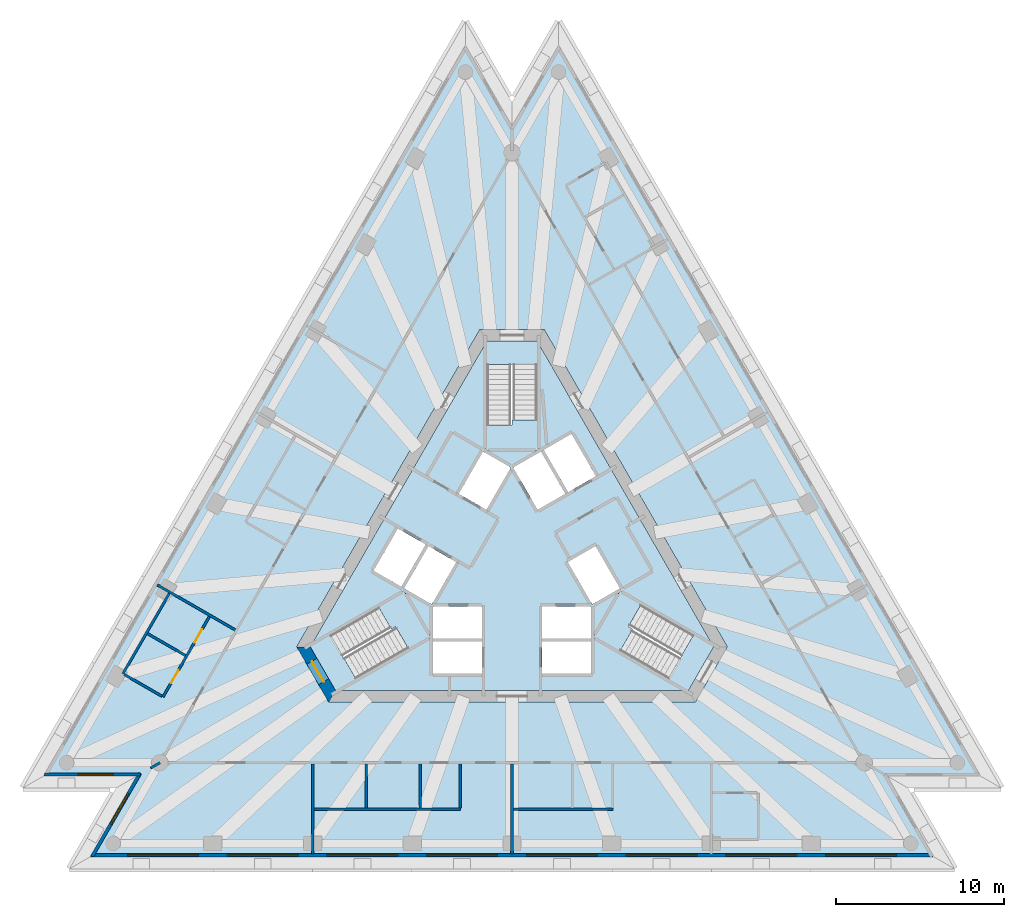
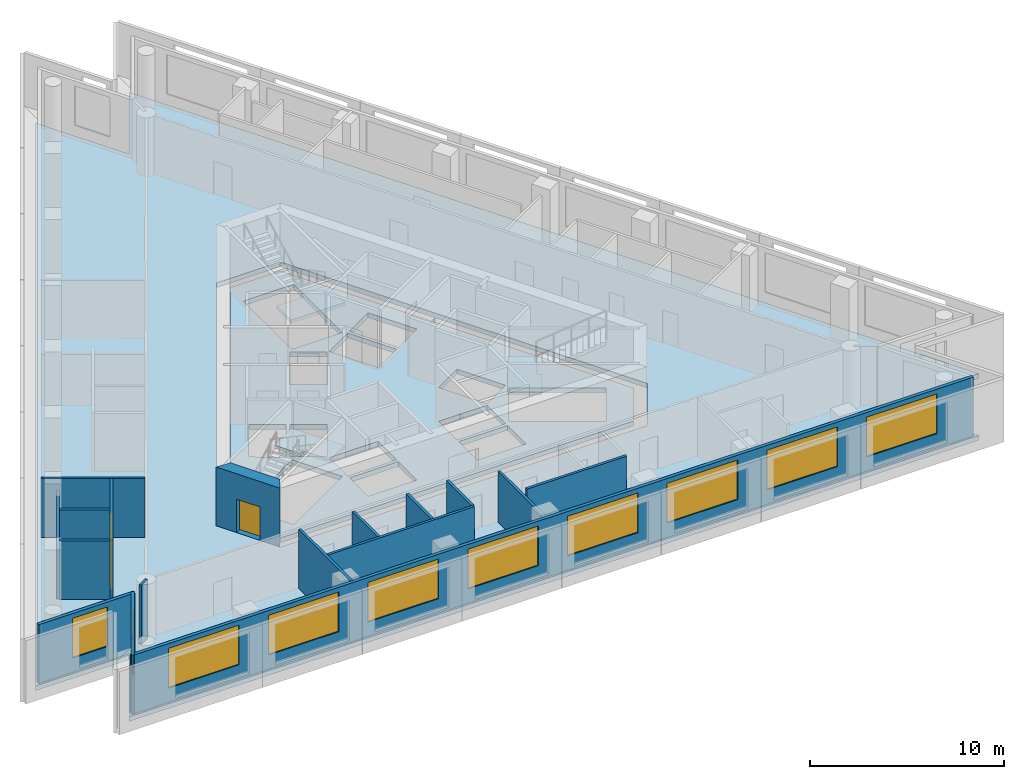
# One storey, part 2 of 9: 17 walls, 10 windows, 5 slabs, 3 doors, 13 openings, 3 elements without a shape of their own.
"""IFC4 building model written with IfcOpenShell, lengths in metres."""

from ifc_helpers import new_model, si_unit, direction, frame, frame_2d, origin, place, context, subcontext, project, spatial, polyline, rectangle, outline, extrude, material, layer, layer_set, layer_usage, type_object, element, fill, aggregate, save


model = new_model("IFC4")

# Units and contexts
model_context = context("Model", 3, precision=1e-05, world=origin(), true_north=direction((0.0, 1.0)))
body_context = subcontext(model_context, "Body", "Model", "MODEL_VIEW")
ifc_project = project(units=[si_unit("LENGTHUNIT", "METRE"), si_unit("AREAUNIT", "SQUARE_METRE"), si_unit("VOLUMEUNIT", "CUBIC_METRE"), si_unit("PLANEANGLEUNIT", "RADIAN"), si_unit("MASSUNIT", "GRAM", prefix="KILO")], contexts=[model_context])

# Site, building, storey
site_placement = place(None, origin())
site = spatial("IfcSite", under=ifc_project, at=site_placement, CompositionType="ELEMENT")
building_placement = place(site_placement, origin())
building = spatial("IfcBuilding", under=site, at=building_placement, Name="Triada Interchange Tower", CompositionType="ELEMENT")
storey_placement = place(building_placement, frame((0.0, 0.0, 227.300048828125)))
storey = spatial("IfcBuildingStorey", under=building, at=storey_placement, Name="L53", CompositionType="ELEMENT", Elevation=227.300048828125)

# Slabs
ifc_material_1 = material(Name="Concrete C50/60", Category="concrete")
ifc_layer_1 = layer(ifc_material_1, 0.300048828125)
ifc_layer_set_1 = layer_set([ifc_layer_1], Name="Floor slab 300")
slab_type_1 = type_object("IfcSlabType", Name="Floor slab 300", PredefinedType="FLOOR", material=ifc_layer_set_1)
slab_1_placement = place(storey_placement, frame((0.0, 0.0, -0.300048828125)))
element("IfcSlab", 1, at=slab_1_placement, inside=storey, type_object=slab_type_1, Name="Floor slab L53", PredefinedType="FLOOR", context=body_context, shape_type="SweptSolid", body=[
    extrude(outline(polyline([(-2.777099609375, 30.822998046875), (-28.0830078125, -13.006103515625), (-22.528076171875, -13.006103515625), (-25.304931640625, -17.81689453125), (25.304931640625, -17.81689453125), (22.528076171875, -13.006103515625), (28.0830078125, -13.006103515625), (2.777099609375, 30.822998046875), (0.0, 26.012939453125), (-2.777099609375, 30.822998046875)]), holes=[polyline([(1.905029296875, 13.699951171875), (-1.905029296875, 13.699951171875), (-12.81689453125, -5.199951171875), (-10.912109375, -8.5), (10.912109375, -8.5), (12.81689453125, -5.199951171875), (1.905029296875, 13.699951171875)])]), origin(), (0.0, 0.0, 1.0), 0.300048828125),
])
slab_2_placement = place(storey_placement, frame((0.0, 0.0, -0.300048828125)))
element("IfcSlab", 2, at=slab_2_placement, inside=storey, type_object=slab_type_1, Name="Core floor slab L53 1", PredefinedType="FLOOR", context=body_context, shape_type="SweptSolid", body=[
    extrude(outline(polyline([(12.009033203125, -5.199951171875), (10.508056640625, -7.800048828125), (-10.508056640625, -7.800048828125), (-12.009033203125, -5.199951171875), (-1.5009765625, 13.0), (1.5009765625, 13.0), (12.009033203125, -5.199951171875)]), holes=[polyline([(9.2958984375, -7.09912109375), (10.7958984375, -4.5009765625), (6.466064453125, -2.0009765625), (4.966064453125, -4.59912109375), (9.2958984375, -7.09912109375)]), polyline([(4.77490234375, -2.669921875), (6.419921875, -1.719970703125), (4.969970703125, 0.791015625), (4.137939453125, 0.31103515625), (3.324951171875, -0.158935546875), (4.77490234375, -2.669921875)]), polyline([(1.89404296875, 6.52001953125), (3.343994140625, 4.009033203125), (4.989013671875, 4.958984375), (3.5390625, 7.469970703125), (1.89404296875, 6.52001953125)]), polyline([(1.800048828125, -4.89990234375), (1.800048828125, -6.4990234375), (1.800048828125, -6.800048828125), (4.699951171875, -6.800048828125), (4.699951171875, -4.89990234375), (1.800048828125, -4.89990234375)]), polyline([(4.699951171875, -2.800048828125), (1.800048828125, -2.800048828125), (1.800048828125, -4.699951171875), (4.699951171875, -4.699951171875), (4.699951171875, -2.800048828125)]), polyline([(0.074951171875, 5.469970703125), (1.52490234375, 2.958984375), (3.169921875, 3.908935546875), (1.719970703125, 6.419921875), (0.074951171875, 5.469970703125)]), polyline([(-1.5, 11.60009765625), (-1.5, 6.60009765625), (1.5, 6.60009765625), (1.5, 11.60009765625), (-1.5, 11.60009765625)]), polyline([(-1.52490234375, 2.958984375), (-0.074951171875, 5.469970703125), (-1.719970703125, 6.419921875), (-3.169921875, 3.908935546875), (-1.52490234375, 2.958984375)]), polyline([(-1.800048828125, -2.800048828125), (-4.699951171875, -2.800048828125), (-4.699951171875, -4.699951171875), (-1.800048828125, -4.699951171875), (-1.800048828125, -2.800048828125)]), polyline([(-4.699951171875, -6.800048828125), (-1.800048828125, -6.800048828125), (-1.800048828125, -6.4990234375), (-1.800048828125, -4.89990234375), (-4.699951171875, -4.89990234375), (-4.699951171875, -6.800048828125)]), polyline([(-3.367919921875, -0.134033203125), (-4.969970703125, 0.791015625), (-6.419921875, -1.719970703125), (-4.77490234375, -2.669921875), (-3.324951171875, -0.158935546875), (-3.367919921875, -0.134033203125)]), polyline([(-10.7958984375, -4.5009765625), (-9.2958984375, -7.09912109375), (-4.966064453125, -4.59912109375), (-6.466064453125, -2.0009765625), (-10.7958984375, -4.5009765625)]), polyline([(-6.593994140625, -1.6201171875), (-5.14404296875, 0.89111328125), (-6.7890625, 1.841064453125), (-8.239013671875, -0.669921875), (-6.593994140625, -1.6201171875)])]), origin(), (0.0, 0.0, 1.0), 0.300048828125),
])

# Stair, slab
ifc_material_2 = material(Name="Concrete C35/45", Category="concrete")
stair_type = type_object("IfcStairType", Name="HALF TURN STAIR 1400", PredefinedType="HALF_TURN_STAIR", material=ifc_material_2)
stair_1_placement = place(storey_placement, origin())
stair_1 = element("IfcStair", 3, at=stair_1_placement, inside=storey, type_object=stair_type, Name="Exit stair S53-1", PredefinedType="HALF_TURN_STAIR")
ifc_layer_2 = layer(ifc_material_2, 0.199951171875)
ifc_layer_set_2 = layer_set([ifc_layer_2], Name="STAIR LANDING 200")
slab_type_2 = type_object("IfcSlabType", Name="STAIR LANDING 200", PredefinedType="LANDING", material=ifc_layer_set_2)
slab_3_placement = place(storey_placement, frame((0.0, 0.0, 1.719970703125)))
slab_3 = element("IfcSlab", 4, at=slab_3_placement, type_object=slab_type_2, Name="S53-1 landing 1", PredefinedType="LANDING", context=body_context, shape_type="SweptSolid", body=[
    extrude(outline(polyline([(1.60009765625, 6.5), (1.60009765625, 8.300048828125), (0.0, 8.300048828125), (0.0, 8.0), (-1.60009765625, 8.0), (-1.60009765625, 6.5), (1.60009765625, 6.5)])), origin(), (0.0, 0.0, 1.0), 0.199951171875),
])
aggregate(stair_1, [slab_3])

stair_2_placement = place(storey_placement, origin())
stair_2 = element("IfcStair", 5, at=stair_2_placement, inside=storey, type_object=stair_type, Name="Exit stair S53-2", PredefinedType="HALF_TURN_STAIR")
slab_4_placement = place(storey_placement, frame((0.0, 0.0, 1.719970703125)))
slab_4 = element("IfcSlab", 6, at=slab_4_placement, type_object=slab_type_2, Name="S53-2 landing 1", PredefinedType="LANDING", context=body_context, shape_type="SweptSolid", body=[
    extrude(outline(polyline([(-6.428955078125, -1.864013671875), (-7.988037109375, -2.763916015625), (-7.18798828125, -4.14990234375), (-6.927978515625, -4.0), (-6.1279296875, -5.385986328125), (-4.8291015625, -4.635986328125), (-6.428955078125, -1.864013671875)])), origin(), (0.0, 0.0, 1.0), 0.199951171875),
])
aggregate(stair_2, [slab_4])

stair_3_placement = place(storey_placement, origin())
stair_3 = element("IfcStair", 7, at=stair_3_placement, inside=storey, type_object=stair_type, Name="Exit stair S53-3", PredefinedType="HALF_TURN_STAIR")
slab_5_placement = place(storey_placement, frame((0.0, 0.0, 1.719970703125)))
slab_5 = element("IfcSlab", 8, at=slab_5_placement, type_object=slab_type_2, Name="S53-3 landing 1", PredefinedType="LANDING", context=body_context, shape_type="SweptSolid", body=[
    extrude(outline(polyline([(4.8291015625, -4.635986328125), (6.387939453125, -5.535888671875), (7.18798828125, -4.14990234375), (6.927978515625, -4.0), (7.72802734375, -2.614013671875), (6.428955078125, -1.864013671875), (4.8291015625, -4.635986328125)])), origin(), (0.0, 0.0, 1.0), 0.199951171875),
])
aggregate(stair_3, [slab_5])

# Wall, opening, door
ifc_layer_3 = layer(ifc_material_1, 0.699951171875)
ifc_layer_set_3 = layer_set([ifc_layer_3], Name="Core wall C 700")
wall_type_1 = type_object("IfcWallType", Name="Core wall C 700", PredefinedType="SHEAR", material=ifc_layer_set_3)
wall_1_placement = place(storey_placement, frame((-12.4130859375, -5.199951171875, -0.300048828125), z_axis=(0.0, 0.0, 1.0), x_axis=(0.49999337185, -0.866029230515, 0.0)))
wall_1 = element("IfcWall", 9, at=wall_1_placement, inside=storey, type_object=wall_type_1, Name="Core wall WC03 L53", PredefinedType="SHEAR", context=body_context, shape_type="SweptSolid", body=[
    extrude(outline(polyline([(-0.201904296875, -0.35009765625), (1.703125, -0.35009765625), (3.60791015625, -0.35009765625), (3.2041015625, 0.35009765625), (1.703125, 0.35009765625), (0.201904296875, 0.35009765625), (-0.201904296875, -0.35009765625)])), origin(), (0.0, 0.0, 1.0), 4.0),
])
opening_1_placement = place(wall_1_placement, frame((1.0029296875, 0.0, 0.300048828125)))
opening_1 = element("IfcOpeningElement", 10, at=opening_1_placement, cuts=wall_1, Name="Opening D53-41", PredefinedType="OPENING", context=body_context, shape_type="SweptSolid", body=[
    extrude(rectangle(XDim=1.39990234375, YDim=2.10009765625, at=frame_2d((0.699951171875, 1.050048828125))), frame((0.0, 0.360107421875, 0.0), z_axis=(0.0, -1.0, 0.0), x_axis=(1.0, 0.0, 0.0)), (0.0, 0.0, 1.0), 0.72021484375),
])
ifc_material_3 = material(Name="Steel S235 door leaf", Category="steel")
door_type_1 = type_object("IfcDoorType", Name="STAIR DOOR 1400 EI2 90-C5S200", OperationType="DOUBLE_DOOR_SINGLE_SWING", PredefinedType="DOOR", material=ifc_material_3)
door_1_placement = place(opening_1_placement, origin())
door_1 = element("IfcDoor", 11, at=door_1_placement, inside=storey, type_object=door_type_1, Name="Door D53-41 L53", OperationType="DOUBLE_DOOR_SINGLE_SWING", OverallHeight=2.10009765625, OverallWidth=1.39990234375, PredefinedType="DOOR", context=body_context, shape_type="SweptSolid", body=[
    extrude(rectangle(XDim=1.39990234375, YDim=2.10009765625, at=frame_2d((0.699951171875, 1.050048828125))), frame((0.0, 0.02490234375, 0.0), z_axis=(0.0, -1.0, 0.0), x_axis=(1.0, 0.0, 0.0)), (0.0, 0.0, 1.0), 0.050048828125),
])
fill(opening_1, door_1)

# Wall, opening, window
ifc_material_4 = material(Name="Cement board")
ifc_layer_4 = layer(ifc_material_4, 0.02001953125, Name="Cement board cladding")
ifc_material_5 = material(Name="Sheathing board")
ifc_layer_5 = layer(ifc_material_5, 0.014892578125, Name="Sheathing board")
ifc_material_6 = material(Name="Mineral wool")
ifc_layer_6 = layer(ifc_material_6, 0.14990234375, Name="Mineral wool between steel studs")
ifc_material_7 = material(Name="Gypsum board")
ifc_layer_7 = layer(ifc_material_7, 0.014892578125, Name="Plasterboard lining")
ifc_layer_set_4 = layer_set([ifc_layer_4, ifc_layer_5, ifc_layer_6, ifc_layer_7], Name="External wall 200")
ifc_layer_usage = layer_usage(ifc_layer_set_4, "AXIS2", "POSITIVE", -0.10009765625)
wall_type_2 = type_object("IfcWallType", Name="External wall 200", PredefinedType="ELEMENTEDWALL", material=ifc_layer_set_4)
wall_2_placement = place(storey_placement, frame((-27.826904296875, -12.805908203125, 0.0), z_axis=(0.0, 0.0, 1.0), x_axis=(1.0, 0.0, 0.0)))
wall_2 = element("IfcWall", 12, at=wall_2_placement, inside=storey, type_object=wall_type_2, material=ifc_layer_usage, Name="External wall L53 SW-1", PredefinedType="ELEMENTEDWALL", context=body_context, shape_type="SweptSolid", body=[
    extrude(rectangle(XDim=5.71484375, YDim=0.199951171875, at=frame_2d((2.857421875, 0.0))), origin(), (0.0, 0.0, 1.0), 3.699951171875),
])
opening_2_placement = place(wall_2_placement, frame((1.989990234375, 0.0, 0.89990234375)))
opening_2 = element("IfcOpeningElement", 13, at=opening_2_placement, cuts=wall_2, Name="Opening WC09", PredefinedType="OPENING", context=body_context, shape_type="SweptSolid", body=[
    extrude(rectangle(XDim=2.10009765625, YDim=2.5, at=frame_2d((1.050048828125, 1.25))), frame((0.0, 0.10986328125, 0.0), z_axis=(0.0, -1.0, 0.0), x_axis=(1.0, 0.0, 0.0)), (0.0, 0.0, 1.0), 0.219970703125),
])
ifc_material_8 = material(Name="Double glazed aluminium window", Category="aluminium")
window_type_1 = type_object("IfcWindowType", Name="Ribbon window C pocket", PartitioningType="SINGLE_PANEL", PredefinedType="WINDOW", material=ifc_material_8)
window_1_placement = place(opening_2_placement, origin())
window_1 = element("IfcWindow", 14, at=window_1_placement, inside=storey, type_object=window_type_1, Name="Window L53 SW-1 1", OverallHeight=2.5, OverallWidth=2.10009765625, PartitioningType="SINGLE_PANEL", PredefinedType="WINDOW", context=body_context, shape_type="SweptSolid", body=[
    extrude(rectangle(XDim=2.10009765625, YDim=2.5, at=frame_2d((1.050048828125, 1.25))), frame((0.0, 0.030029296875, 0.0), z_axis=(0.0, -1.0, 0.0), x_axis=(1.0, 0.0, 0.0)), (0.0, 0.0, 1.0), 0.06005859375),
])
fill(opening_2, window_1)

wall_3_placement = place(storey_placement, frame((-22.136962890625, -12.72802734375, 0.0), z_axis=(0.0, 0.0, 1.0), x_axis=(-0.49987899677, -0.866095253761, 0.0)))
wall_3 = element("IfcWall", 15, at=wall_3_placement, inside=storey, type_object=wall_type_2, material=ifc_layer_usage, Name="External wall L53 SW-2", PredefinedType="ELEMENTEDWALL", context=body_context, shape_type="SweptSolid", body=[
    extrude(rectangle(XDim=5.71533203125, YDim=0.199951171875, at=frame_2d((2.857666015625, 0.0))), origin(), (0.0, 0.0, 1.0), 3.699951171875),
])
opening_3_placement = place(wall_3_placement, frame((1.389892578125, 0.0, 0.89990234375)))
opening_3 = element("IfcOpeningElement", 16, at=opening_3_placement, cuts=wall_3, Name="Opening WC10", PredefinedType="OPENING", context=body_context, shape_type="SweptSolid", body=[
    extrude(rectangle(XDim=2.10009765625, YDim=2.5, at=frame_2d((1.050048828125, 1.25))), frame((0.0, 0.10986328125, 0.0), z_axis=(0.0, -1.0, 0.0), x_axis=(1.0, 0.0, 0.0)), (0.0, 0.0, 1.0), 0.219970703125),
])
window_2_placement = place(opening_3_placement, origin())
window_2 = element("IfcWindow", 17, at=window_2_placement, inside=storey, type_object=window_type_1, Name="Window L53 SW-2 1", OverallHeight=2.5, OverallWidth=2.10009765625, PartitioningType="SINGLE_PANEL", PredefinedType="WINDOW", context=body_context, shape_type="SweptSolid", body=[
    extrude(rectangle(XDim=2.10009765625, YDim=2.5, at=frame_2d((1.050048828125, 1.25))), frame((0.0, 0.030029296875, 0.0), z_axis=(0.0, -1.0, 0.0), x_axis=(1.0, 0.0, 0.0)), (0.0, 0.0, 1.0), 0.06005859375),
])
fill(opening_3, window_2)

# Wall, openings, windows
wall_4_placement = place(storey_placement, frame((-25.049072265625, -17.616943359375, 0.0), z_axis=(0.0, 0.0, 1.0), x_axis=(1.0, 0.0, 0.0)))
wall_4 = element("IfcWall", 18, at=wall_4_placement, inside=storey, type_object=wall_type_2, material=ifc_layer_usage, Name="External wall L53 S", PredefinedType="ELEMENTEDWALL", context=body_context, shape_type="SweptSolid", body=[
    extrude(rectangle(XDim=50.078125, YDim=0.199951171875, at=frame_2d((25.0390625, 0.0))), origin(), (0.0, 0.0, 1.0), 3.699951171875),
])
opening_4_placement = place(wall_4_placement, frame((2.1708984375, 0.0, 0.89990234375)))
opening_4 = element("IfcOpeningElement", 19, at=opening_4_placement, cuts=wall_4, Name="Opening WC11", PredefinedType="OPENING", context=body_context, shape_type="SweptSolid", body=[
    extrude(rectangle(XDim=4.199951171875, YDim=2.5, at=frame_2d((2.10009765625, 1.25))), frame((0.0, 0.10986328125, 0.0), z_axis=(0.0, -1.0, 0.0), x_axis=(1.0, 0.0, 0.0)), (0.0, 0.0, 1.0), 0.219970703125),
])
opening_5_placement = place(wall_4_placement, frame((8.10791015625, 0.0, 0.89990234375)))
opening_5 = element("IfcOpeningElement", 20, at=opening_5_placement, cuts=wall_4, Name="Opening WC12", PredefinedType="OPENING", context=body_context, shape_type="SweptSolid", body=[
    extrude(rectangle(XDim=4.199951171875, YDim=2.5, at=frame_2d((2.10009765625, 1.25))), frame((0.0, 0.10986328125, 0.0), z_axis=(0.0, -1.0, 0.0), x_axis=(1.0, 0.0, 0.0)), (0.0, 0.0, 1.0), 0.219970703125),
])
opening_6_placement = place(wall_4_placement, frame((14.0439453125, 0.0, 0.89990234375)))
opening_6 = element("IfcOpeningElement", 21, at=opening_6_placement, cuts=wall_4, Name="Opening WC13", PredefinedType="OPENING", context=body_context, shape_type="SweptSolid", body=[
    extrude(rectangle(XDim=4.199951171875, YDim=2.5, at=frame_2d((2.10009765625, 1.25))), frame((0.0, 0.10986328125, 0.0), z_axis=(0.0, -1.0, 0.0), x_axis=(1.0, 0.0, 0.0)), (0.0, 0.0, 1.0), 0.219970703125),
])
opening_7_placement = place(wall_4_placement, frame((19.98095703125, 0.0, 0.89990234375)))
opening_7 = element("IfcOpeningElement", 22, at=opening_7_placement, cuts=wall_4, Name="Opening WC14", PredefinedType="OPENING", context=body_context, shape_type="SweptSolid", body=[
    extrude(rectangle(XDim=4.199951171875, YDim=2.5, at=frame_2d((2.10009765625, 1.25))), frame((0.0, 0.10986328125, 0.0), z_axis=(0.0, -1.0, 0.0), x_axis=(1.0, 0.0, 0.0)), (0.0, 0.0, 1.0), 0.219970703125),
])
opening_8_placement = place(wall_4_placement, frame((25.9169921875, 0.0, 0.89990234375)))
opening_8 = element("IfcOpeningElement", 23, at=opening_8_placement, cuts=wall_4, Name="Opening WC15", PredefinedType="OPENING", context=body_context, shape_type="SweptSolid", body=[
    extrude(rectangle(XDim=4.199951171875, YDim=2.5, at=frame_2d((2.10009765625, 1.25))), frame((0.0, 0.10986328125, 0.0), z_axis=(0.0, -1.0, 0.0), x_axis=(1.0, 0.0, 0.0)), (0.0, 0.0, 1.0), 0.219970703125),
])
opening_9_placement = place(wall_4_placement, frame((31.85400390625, 0.0, 0.89990234375)))
opening_9 = element("IfcOpeningElement", 24, at=opening_9_placement, cuts=wall_4, Name="Opening WC16", PredefinedType="OPENING", context=body_context, shape_type="SweptSolid", body=[
    extrude(rectangle(XDim=4.199951171875, YDim=2.5, at=frame_2d((2.10009765625, 1.25))), frame((0.0, 0.10986328125, 0.0), z_axis=(0.0, -1.0, 0.0), x_axis=(1.0, 0.0, 0.0)), (0.0, 0.0, 1.0), 0.219970703125),
])
opening_10_placement = place(wall_4_placement, frame((37.7900390625, 0.0, 0.89990234375)))
opening_10 = element("IfcOpeningElement", 25, at=opening_10_placement, cuts=wall_4, Name="Opening WC17", PredefinedType="OPENING", context=body_context, shape_type="SweptSolid", body=[
    extrude(rectangle(XDim=4.199951171875, YDim=2.5, at=frame_2d((2.10009765625, 1.25))), frame((0.0, 0.10986328125, 0.0), z_axis=(0.0, -1.0, 0.0), x_axis=(1.0, 0.0, 0.0)), (0.0, 0.0, 1.0), 0.219970703125),
])
opening_11_placement = place(wall_4_placement, frame((43.72705078125, 0.0, 0.89990234375)))
opening_11 = element("IfcOpeningElement", 26, at=opening_11_placement, cuts=wall_4, Name="Opening WC18", PredefinedType="OPENING", context=body_context, shape_type="SweptSolid", body=[
    extrude(rectangle(XDim=4.199951171875, YDim=2.5, at=frame_2d((2.10009765625, 1.25))), frame((0.0, 0.10986328125, 0.0), z_axis=(0.0, -1.0, 0.0), x_axis=(1.0, 0.0, 0.0)), (0.0, 0.0, 1.0), 0.219970703125),
])
window_type_2 = type_object("IfcWindowType", Name="Ribbon window C face", PartitioningType="SINGLE_PANEL", PredefinedType="WINDOW", material=ifc_material_8)
window_3_placement = place(opening_4_placement, origin())
window_3 = element("IfcWindow", 27, at=window_3_placement, inside=storey, type_object=window_type_2, Name="Window L53 S 1", OverallHeight=2.5, OverallWidth=4.199951171875, PartitioningType="SINGLE_PANEL", PredefinedType="WINDOW", context=body_context, shape_type="SweptSolid", body=[
    extrude(rectangle(XDim=4.199951171875, YDim=2.5, at=frame_2d((2.10009765625, 1.25))), frame((0.0, 0.030029296875, 0.0), z_axis=(0.0, -1.0, 0.0), x_axis=(1.0, 0.0, 0.0)), (0.0, 0.0, 1.0), 0.06005859375),
])
fill(opening_4, window_3)
window_4_placement = place(opening_5_placement, origin())
window_4 = element("IfcWindow", 28, at=window_4_placement, inside=storey, type_object=window_type_2, Name="Window L53 S 2", OverallHeight=2.5, OverallWidth=4.199951171875, PartitioningType="SINGLE_PANEL", PredefinedType="WINDOW", context=body_context, shape_type="SweptSolid", body=[
    extrude(rectangle(XDim=4.199951171875, YDim=2.5, at=frame_2d((2.10009765625, 1.25))), frame((0.0, 0.030029296875, 0.0), z_axis=(0.0, -1.0, 0.0), x_axis=(1.0, 0.0, 0.0)), (0.0, 0.0, 1.0), 0.06005859375),
])
fill(opening_5, window_4)
window_5_placement = place(opening_6_placement, origin())
window_5 = element("IfcWindow", 29, at=window_5_placement, inside=storey, type_object=window_type_2, Name="Window L53 S 3", OverallHeight=2.5, OverallWidth=4.199951171875, PartitioningType="SINGLE_PANEL", PredefinedType="WINDOW", context=body_context, shape_type="SweptSolid", body=[
    extrude(rectangle(XDim=4.199951171875, YDim=2.5, at=frame_2d((2.10009765625, 1.25))), frame((0.0, 0.030029296875, 0.0), z_axis=(0.0, -1.0, 0.0), x_axis=(1.0, 0.0, 0.0)), (0.0, 0.0, 1.0), 0.06005859375),
])
fill(opening_6, window_5)
window_6_placement = place(opening_7_placement, origin())
window_6 = element("IfcWindow", 30, at=window_6_placement, inside=storey, type_object=window_type_2, Name="Window L53 S 4", OverallHeight=2.5, OverallWidth=4.199951171875, PartitioningType="SINGLE_PANEL", PredefinedType="WINDOW", context=body_context, shape_type="SweptSolid", body=[
    extrude(rectangle(XDim=4.199951171875, YDim=2.5, at=frame_2d((2.10009765625, 1.25))), frame((0.0, 0.030029296875, 0.0), z_axis=(0.0, -1.0, 0.0), x_axis=(1.0, 0.0, 0.0)), (0.0, 0.0, 1.0), 0.06005859375),
])
fill(opening_7, window_6)
window_7_placement = place(opening_8_placement, origin())
window_7 = element("IfcWindow", 31, at=window_7_placement, inside=storey, type_object=window_type_2, Name="Window L53 S 5", OverallHeight=2.5, OverallWidth=4.199951171875, PartitioningType="SINGLE_PANEL", PredefinedType="WINDOW", context=body_context, shape_type="SweptSolid", body=[
    extrude(rectangle(XDim=4.199951171875, YDim=2.5, at=frame_2d((2.10009765625, 1.25))), frame((0.0, 0.030029296875, 0.0), z_axis=(0.0, -1.0, 0.0), x_axis=(1.0, 0.0, 0.0)), (0.0, 0.0, 1.0), 0.06005859375),
])
fill(opening_8, window_7)
window_8_placement = place(opening_9_placement, origin())
window_8 = element("IfcWindow", 32, at=window_8_placement, inside=storey, type_object=window_type_2, Name="Window L53 S 6", OverallHeight=2.5, OverallWidth=4.199951171875, PartitioningType="SINGLE_PANEL", PredefinedType="WINDOW", context=body_context, shape_type="SweptSolid", body=[
    extrude(rectangle(XDim=4.199951171875, YDim=2.5, at=frame_2d((2.10009765625, 1.25))), frame((0.0, 0.030029296875, 0.0), z_axis=(0.0, -1.0, 0.0), x_axis=(1.0, 0.0, 0.0)), (0.0, 0.0, 1.0), 0.06005859375),
])
fill(opening_9, window_8)
window_9_placement = place(opening_10_placement, origin())
window_9 = element("IfcWindow", 33, at=window_9_placement, inside=storey, type_object=window_type_2, Name="Window L53 S 7", OverallHeight=2.5, OverallWidth=4.199951171875, PartitioningType="SINGLE_PANEL", PredefinedType="WINDOW", context=body_context, shape_type="SweptSolid", body=[
    extrude(rectangle(XDim=4.199951171875, YDim=2.5, at=frame_2d((2.10009765625, 1.25))), frame((0.0, 0.030029296875, 0.0), z_axis=(0.0, -1.0, 0.0), x_axis=(1.0, 0.0, 0.0)), (0.0, 0.0, 1.0), 0.06005859375),
])
fill(opening_10, window_9)
window_10_placement = place(opening_11_placement, origin())
window_10 = element("IfcWindow", 34, at=window_10_placement, inside=storey, type_object=window_type_2, Name="Window L53 S 8", OverallHeight=2.5, OverallWidth=4.199951171875, PartitioningType="SINGLE_PANEL", PredefinedType="WINDOW", context=body_context, shape_type="SweptSolid", body=[
    extrude(rectangle(XDim=4.199951171875, YDim=2.5, at=frame_2d((2.10009765625, 1.25))), frame((0.0, 0.030029296875, 0.0), z_axis=(0.0, -1.0, 0.0), x_axis=(1.0, 0.0, 0.0)), (0.0, 0.0, 1.0), 0.06005859375),
])
fill(opening_11, window_10)

# Walls
ifc_material_9 = material(Name="Gypsum board partition")
ifc_layer_8 = layer(ifc_material_9, 0.14990234375)
ifc_layer_set_5 = layer_set([ifc_layer_8], Name="PARTITION 150 EI 180")
wall_type_3 = type_object("IfcWallType", Name="PARTITION 150 EI 180", PredefinedType="PARTITIONING", material=ifc_layer_set_5)
wall_5_placement = place(storey_placement, frame((-21.506103515625, -12.416015625, 0.0), z_axis=(0.0, 0.0, 1.0), x_axis=(0.866102227088, 0.499866914522, 0.0)))
element("IfcWall", 35, at=wall_5_placement, inside=storey, type_object=wall_type_3, Name="Wall L53 1", PredefinedType="PARTITIONING", context=body_context, shape_type="SweptSolid", body=[
    extrude(rectangle(XDim=0.634033203125, YDim=0.14990234375, at=frame_2d((0.31689453125, 0.0))), origin(), (0.0, 0.0, 1.0), 3.699951171875),
])
wall_6_placement = place(storey_placement, frame((-21.1240234375, -1.513916015625, 0.0), z_axis=(0.0, 0.0, 1.0), x_axis=(0.866032438121, -0.499987815973, 0.0)))
element("IfcWall", 36, at=wall_6_placement, inside=storey, type_object=wall_type_3, Name="Wall L53 3", PredefinedType="PARTITIONING", context=body_context, shape_type="SweptSolid", body=[
    extrude(rectangle(XDim=5.362548828125, YDim=0.14990234375, at=frame_2d((2.68115234375, 0.0))), origin(), (0.0, 0.0, 1.0), 3.699951171875),
])
wall_7_placement = place(storey_placement, frame((-11.873046875, -17.537109375, 0.0), z_axis=(0.0, 0.0, 1.0), x_axis=(0.0, 1.0, 0.0)))
element("IfcWall", 37, at=wall_7_placement, inside=storey, type_object=wall_type_3, Name="Wall L53 12", PredefinedType="PARTITIONING", context=body_context, shape_type="SweptSolid", body=[
    extrude(rectangle(XDim=5.362060546875, YDim=0.14990234375, at=frame_2d((2.68115234375, 0.0))), origin(), (0.0, 0.0, 1.0), 3.699951171875),
])
wall_8_placement = place(storey_placement, frame((-11.798095703125, -14.85791015625, 0.0), z_axis=(0.0, 0.0, 1.0), x_axis=(1.0, 0.0, 0.0)))
element("IfcWall", 38, at=wall_8_placement, inside=storey, type_object=wall_type_3, Name="Wall L53 13", PredefinedType="PARTITIONING", context=body_context, shape_type="SweptSolid", body=[
    extrude(rectangle(XDim=8.72509765625, YDim=0.14990234375, at=frame_2d((4.362548828125, 0.0))), origin(), (0.0, 0.0, 1.0), 3.699951171875),
])
wall_9_placement = place(storey_placement, frame((0.074951171875, -14.85791015625, 0.0), z_axis=(0.0, 0.0, 1.0), x_axis=(1.0, 0.0, 0.0)))
element("IfcWall", 39, at=wall_9_placement, inside=storey, type_object=wall_type_3, Name="Wall L53 14", PredefinedType="PARTITIONING", context=body_context, shape_type="SweptSolid", body=[
    extrude(rectangle(XDim=5.925048828125, YDim=0.14990234375, at=frame_2d((2.96240234375, 0.0))), origin(), (0.0, 0.0, 1.0), 3.699951171875),
])
wall_10_placement = place(storey_placement, frame((-8.673095703125, -14.782958984375, 0.0), z_axis=(0.0, 0.0, 1.0), x_axis=(0.0, 1.0, 0.0)))
element("IfcWall", 40, at=wall_10_placement, inside=storey, type_object=wall_type_3, Name="Wall L53 15", PredefinedType="PARTITIONING", context=body_context, shape_type="SweptSolid", body=[
    extrude(rectangle(XDim=2.60791015625, YDim=0.14990234375, at=frame_2d((1.303955078125, 0.0))), origin(), (0.0, 0.0, 1.0), 3.699951171875),
])
wall_11_placement = place(storey_placement, frame((-3.072998046875, -14.783935546875, 0.0), z_axis=(0.0, 0.0, 1.0), x_axis=(0.0, 1.0, 0.0)))
element("IfcWall", 41, at=wall_11_placement, inside=storey, type_object=wall_type_3, Name="Wall L53 16", PredefinedType="PARTITIONING", context=body_context, shape_type="SweptSolid", body=[
    extrude(rectangle(XDim=2.60888671875, YDim=0.14990234375, at=frame_2d((1.304443359375, 0.0))), origin(), (0.0, 0.0, 1.0), 3.699951171875),
])
wall_12_placement = place(storey_placement, frame((-5.472900390625, -14.782958984375, 0.0), z_axis=(0.0, 0.0, 1.0), x_axis=(0.0, 1.0, 0.0)))
element("IfcWall", 42, at=wall_12_placement, inside=storey, type_object=wall_type_3, Name="Wall L53 17", PredefinedType="PARTITIONING", context=body_context, shape_type="SweptSolid", body=[
    extrude(rectangle(XDim=2.60791015625, YDim=0.14990234375, at=frame_2d((1.303955078125, 0.0))), origin(), (0.0, 0.0, 1.0), 3.699951171875),
])
wall_13_placement = place(storey_placement, frame((0.0, -17.537109375, 0.0), z_axis=(0.0, 0.0, 1.0), x_axis=(0.0, 1.0, 0.0)))
element("IfcWall", 43, at=wall_13_placement, inside=storey, type_object=wall_type_3, Name="Wall L53 18", PredefinedType="PARTITIONING", context=body_context, shape_type="SweptSolid", body=[
    extrude(rectangle(XDim=5.362060546875, YDim=0.14990234375, at=frame_2d((2.68115234375, 0.0))), origin(), (0.0, 0.0, 1.0), 3.199951171875),
])

# Wall, openings, doors
ifc_layer_9 = layer(ifc_material_9, 0.14990234375)
ifc_layer_set_6 = layer_set([ifc_layer_9], Name="PARTITION 150 EI 90")
wall_type_4 = type_object("IfcWallType", Name="PARTITION 150 EI 90", PredefinedType="PARTITIONING", material=ifc_layer_set_6)
wall_14_placement = place(storey_placement, frame((-20.77392578125, -8.181884765625, 0.0), z_axis=(0.0, 0.0, 1.0), x_axis=(0.499917542299, 0.866073005526, 0.0)))
wall_14 = element("IfcWall", 44, at=wall_14_placement, inside=storey, type_object=wall_type_4, Name="Wall L53 30", PredefinedType="PARTITIONING", context=body_context, shape_type="SweptSolid", body=[
    extrude(rectangle(XDim=5.52490234375, YDim=0.14990234375, at=frame_2d((2.762451171875, 0.0))), origin(), (0.0, 0.0, 1.0), 3.699951171875),
])
opening_12_placement = place(wall_14_placement, frame((3.75, 0.0, 0.0)))
opening_12 = element("IfcOpeningElement", 45, at=opening_12_placement, cuts=wall_14, Name="Opening D53-37", PredefinedType="OPENING", context=body_context, shape_type="SweptSolid", body=[
    extrude(rectangle(XDim=0.89990234375, YDim=2.10009765625, at=frame_2d((0.449951171875, 1.050048828125))), frame((0.0, 0.0849609375, 0.0), z_axis=(0.0, -1.0, 0.0), x_axis=(1.0, 0.0, 0.0)), (0.0, 0.0, 1.0), 0.169921875),
])
opening_13_placement = place(wall_14_placement, frame((0.949951171875, 0.0, 0.0)))
opening_13 = element("IfcOpeningElement", 46, at=opening_13_placement, cuts=wall_14, Name="Opening D53-38", PredefinedType="OPENING", context=body_context, shape_type="SweptSolid", body=[
    extrude(rectangle(XDim=0.89990234375, YDim=2.10009765625, at=frame_2d((0.449951171875, 1.050048828125))), frame((0.0, 0.0849609375, 0.0), z_axis=(0.0, -1.0, 0.0), x_axis=(1.0, 0.0, 0.0)), (0.0, 0.0, 1.0), 0.169921875),
])
door_type_2 = type_object("IfcDoorType", Name="ROOM DOOR 900 EI2 45-C5S200", OperationType="NOTDEFINED", PredefinedType="DOOR", material=ifc_material_3)
door_2_placement = place(opening_12_placement, origin())
door_2 = element("IfcDoor", 47, at=door_2_placement, inside=storey, type_object=door_type_2, Name="Door D53-37 L53", OperationType="SINGLE_SWING_RIGHT", OverallHeight=2.10009765625, OverallWidth=0.89990234375, PredefinedType="DOOR", context=body_context, shape_type="SweptSolid", body=[
    extrude(rectangle(XDim=0.89990234375, YDim=2.10009765625, at=frame_2d((0.449951171875, 1.050048828125))), frame((0.0, 0.02490234375, 0.0), z_axis=(0.0, -1.0, 0.0), x_axis=(1.0, 0.0, 0.0)), (0.0, 0.0, 1.0), 0.050048828125),
])
fill(opening_12, door_2)
door_3_placement = place(opening_13_placement, origin())
door_3 = element("IfcDoor", 48, at=door_3_placement, inside=storey, type_object=door_type_2, Name="Door D53-38 L53", OperationType="SINGLE_SWING_RIGHT", OverallHeight=2.10009765625, OverallWidth=0.89990234375, PredefinedType="DOOR", context=body_context, shape_type="SweptSolid", body=[
    extrude(rectangle(XDim=0.89990234375, YDim=2.10009765625, at=frame_2d((0.449951171875, 1.050048828125))), frame((0.0, 0.02490234375, 0.0), z_axis=(0.0, -1.0, 0.0), x_axis=(1.0, 0.0, 0.0)), (0.0, 0.0, 1.0), 0.050048828125),
])
fill(opening_13, door_3)

# Walls
wall_15_placement = place(storey_placement, frame((-23.1630859375, -6.802978515625, 0.0), z_axis=(0.0, 0.0, 1.0), x_axis=(0.499950687084, 0.866053872738, 0.0)))
element("IfcWall", 49, at=wall_15_placement, inside=storey, type_object=wall_type_4, Name="Wall L53 31", PredefinedType="PARTITIONING", context=body_context, shape_type="SweptSolid", body=[
    extrude(rectangle(XDim=5.52490234375, YDim=0.14990234375, at=frame_2d((2.762451171875, 0.0))), origin(), (0.0, 0.0, 1.0), 2.949951171875),
])
wall_16_placement = place(storey_placement, frame((-23.097900390625, -6.840087890625, 0.0), z_axis=(0.0, 0.0, 1.0), x_axis=(0.865889396464, -0.500235497633, 0.0)))
element("IfcWall", 50, at=wall_16_placement, inside=storey, type_object=wall_type_4, Name="Wall L53 32", PredefinedType="PARTITIONING", context=body_context, shape_type="SweptSolid", body=[
    extrude(rectangle(XDim=2.608642578125, YDim=0.14990234375, at=frame_2d((1.30419921875, 0.0))), origin(), (0.0, 0.0, 1.0), 3.699951171875),
])
wall_17_placement = place(storey_placement, frame((-21.697998046875, -4.416015625, 0.0), z_axis=(0.0, 0.0, 1.0), x_axis=(0.8660749285, -0.499914210863, 0.0)))
element("IfcWall", 51, at=wall_17_placement, inside=storey, type_object=wall_type_4, Name="Wall L53 33", PredefinedType="PARTITIONING", context=body_context, shape_type="SweptSolid", body=[
    extrude(rectangle(XDim=2.6083984375, YDim=0.14990234375, at=frame_2d((1.30419921875, 0.0))), origin(), (0.0, 0.0, 1.0), 3.699951171875),
])

save(model, "model.ifc")
